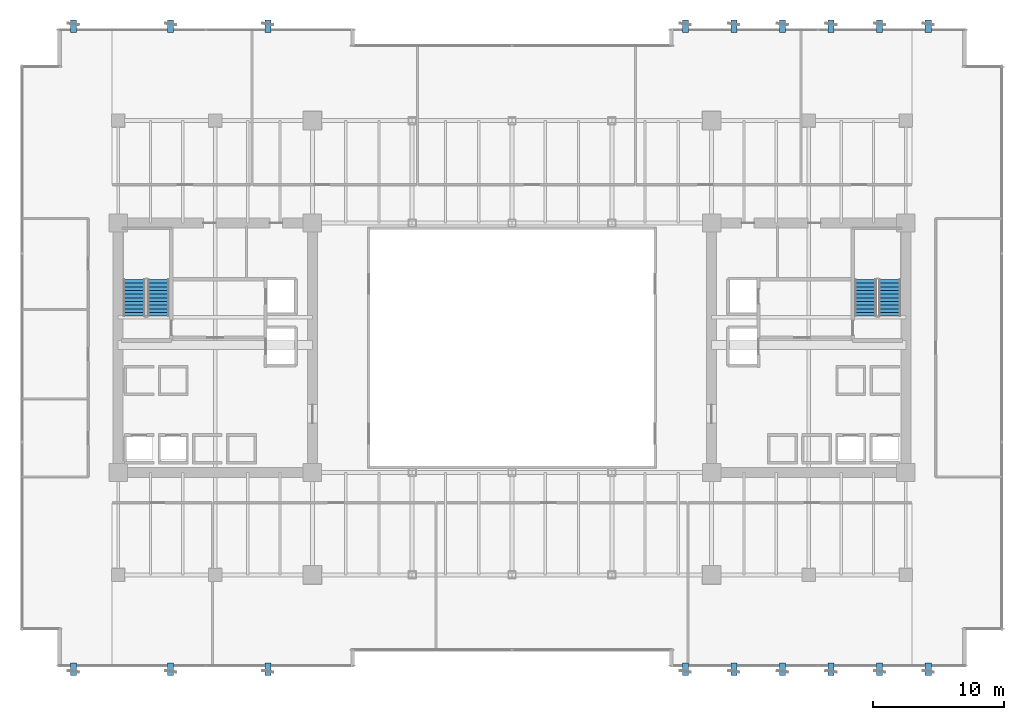
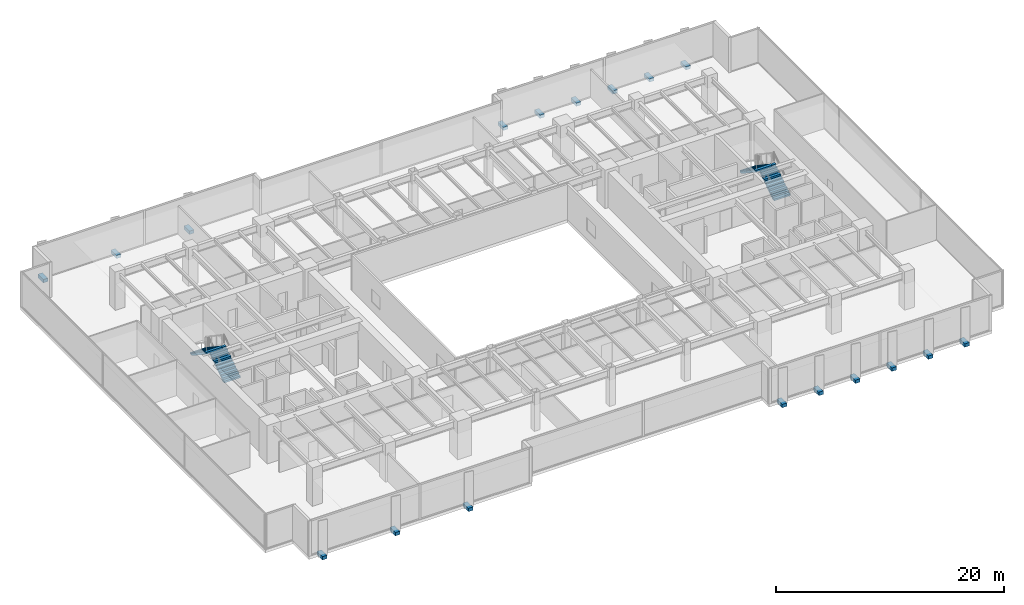
# One storey, part 33 of 37: 18 discrete accessories, 4 stair flights, 2 elements without a shape of their own.
"""IFC4 building model written with IfcOpenShell, lengths in metres."""

import ifcopenshell
import ifcopenshell.guid

model = None  # the IFC model being written
_history = None  # IfcOwnerHistory: only IFC2X3 demands one
_inside = {}  # id of a spatial element -> (the spatial element, [elements in it])
_under = {}  # id of a project, library or spatial element -> (it, [spatial elements below it])
_declared = {}  # id of a project -> (the project, [libraries it declares])
_typed = {}  # id of a type object -> (the type object, [elements of that type])
_made_of = {}  # id of a material, layer set ... -> (it, [elements and type objects made of it])


def new_model(schema):
    """Start an empty IFC model of exactly this schema.

    Asked for "IFC4X3", IfcOpenShell would pick the latest addendum, in which some entities
    have other attributes; the version numbers below select the first issue.
    IFC2X3 requires an IfcOwnerHistory on every rooted entity: one is made here for all.
    """
    global model, _history
    if schema == "IFC4X3":
        model = ifcopenshell.file(schema_version=(4, 3, 0, 0))
    else:
        model = ifcopenshell.file(schema=schema)
    _inside.clear()
    _under.clear()
    _declared.clear()
    _typed.clear()
    _made_of.clear()
    _history = None
    if model.schema == "IFC2X3":
        org = make("IfcOrganization", Name="unknown")
        user = make(
            "IfcPersonAndOrganization",
            ThePerson=make("IfcPerson", FamilyName="unknown"),
            TheOrganization=org,
        )
        app = make(
            "IfcApplication",
            ApplicationDeveloper=org,
            Version="unknown",
            ApplicationFullName="unknown",
            ApplicationIdentifier="unknown",
        )
        _history = make(
            "IfcOwnerHistory",
            OwningUser=user,
            OwningApplication=app,
            ChangeAction="ADDED",
            CreationDate=0,
        )
    return model


def make(cls, **values):
    """One entity of the class cls with the attributes given. An attribute that is None is left unset."""
    return model.create_entity(
        cls, **{name: value for name, value in values.items() if value is not None}
    )


def rooted(cls, **values):
    """An entity with a GlobalId (a new one), such as an element, a storey or a relation."""
    return make(cls, GlobalId=ifcopenshell.guid.new(), OwnerHistory=_history, **values)


def si_unit(unit_type, name, prefix=None):
    """IfcSIUnit, for example si_unit("LENGTHUNIT", "METRE", prefix="MILLI")."""
    return make("IfcSIUnit", UnitType=unit_type, Prefix=prefix, Name=name)


def assignment(units):
    """IfcUnitAssignment: the units of a project."""
    return None if units is None else make("IfcUnitAssignment", Units=units)


def point(xyz):
    """IfcCartesianPoint."""
    return None if xyz is None else make("IfcCartesianPoint", Coordinates=xyz)


def direction(xyz):
    """IfcDirection."""
    return None if xyz is None else make("IfcDirection", DirectionRatios=xyz)


def frame(location, z_axis=None, x_axis=None):
    """IfcAxis2Placement3D, a coordinate frame: its origin and axes. An axis left out is left unset."""
    return make(
        "IfcAxis2Placement3D",
        Location=point(location),
        Axis=direction(z_axis),
        RefDirection=direction(x_axis),
    )


def frame_2d(location, x_axis=None):
    """IfcAxis2Placement2D, a coordinate frame in the plane: its origin and x axis."""
    return make(
        "IfcAxis2Placement2D", Location=point(location), RefDirection=direction(x_axis)
    )


def origin():
    """The frame at (0, 0, 0) with its axes left unset."""
    return frame((0.0, 0.0, 0.0))


def origin_2d():
    """The frame at (0, 0) in the plane with its x axis left unset."""
    return frame_2d((0.0, 0.0))


def place(relative_to, where):
    """IfcLocalPlacement: puts the frame where relative to a parent placement (None: the world)."""
    return make(
        "IfcLocalPlacement", PlacementRelTo=relative_to, RelativePlacement=where
    )


def context(
    kind, dimensions, precision=None, world=None, true_north=None, identifier=None
):
    """IfcGeometricRepresentationContext, for example the 3D "Model" context."""
    return make(
        "IfcGeometricRepresentationContext",
        ContextIdentifier=identifier,
        ContextType=kind,
        CoordinateSpaceDimension=dimensions,
        Precision=precision,
        WorldCoordinateSystem=world,
        TrueNorth=true_north,
    )


def subcontext(parent, identifier, kind, view, scale=None):
    """IfcGeometricRepresentationSubContext, for example "Body" below "Model"."""
    return make(
        "IfcGeometricRepresentationSubContext",
        ContextIdentifier=identifier,
        ContextType=kind,
        ParentContext=parent,
        TargetScale=scale,
        TargetView=view,
    )


def project(units=None, contexts=None):
    """IfcProject with its units and contexts."""
    return rooted(
        "IfcProject",
        Name="project",
        RepresentationContexts=contexts,
        UnitsInContext=assignment(units),
    )


def spatial(cls, under=None, at=None, **own):
    """A site, building, storey or space (cls), placed at a placement, below another one or the project."""
    s = rooted(cls, ObjectPlacement=at, **own)
    if under is not None:
        _under.setdefault(under.id(), (under, []))[1].append(s)
    return s


def polyline(points):
    """IfcPolyline through the points."""
    return make("IfcPolyline", Points=[point(p) for p in points])


def profile(cls, at=None, kind="AREA", **sizes):
    """A parametric profile (cls). Its sizes go by their IFC names, for example OverallWidth=200.0."""
    return make(cls, ProfileType=kind, Position=at, **sizes)


def rectangle(**sizes):
    """IfcRectangleProfileDef."""
    return profile("IfcRectangleProfileDef", **sizes)


def outline(outer, holes=None, kind="AREA"):
    """IfcArbitraryClosedProfileDef: a profile drawn as a closed curve; with holes, ...WithVoids."""
    if holes is None:
        return make("IfcArbitraryClosedProfileDef", ProfileType=kind, OuterCurve=outer)
    return make(
        "IfcArbitraryProfileDefWithVoids",
        ProfileType=kind,
        OuterCurve=outer,
        InnerCurves=holes,
    )


def extrude(swept, where, along, depth):
    """IfcExtrudedAreaSolid: the profile swept, set in the frame where, extruded along a direction by depth."""
    return make(
        "IfcExtrudedAreaSolid",
        SweptArea=swept,
        Position=where,
        ExtrudedDirection=direction(along),
        Depth=depth,
    )


def shape(context_of_items, identifier, shape_type, items):
    """IfcShapeRepresentation: the items that make up one representation, for example the "Body"."""
    return make(
        "IfcShapeRepresentation",
        ContextOfItems=context_of_items,
        RepresentationIdentifier=identifier,
        RepresentationType=shape_type,
        Items=items,
    )


def source(mapping_origin, context_of_items, identifier, shape_type, items):
    """IfcRepresentationMap: a shape defined once, which mapped items show again and again."""
    return make(
        "IfcRepresentationMap",
        MappingOrigin=mapping_origin,
        MappedRepresentation=shape(context_of_items, identifier, shape_type, items),
    )


def transform(
    local_origin,
    x_axis=None,
    y_axis=None,
    z_axis=None,
    scale=None,
    scale2=None,
    scale3=None,
    uniform=True,
):
    """IfcCartesianTransformationOperator3D, or its non-uniform kind. x_axis, y_axis, z_axis: its Axis1, 2, 3."""
    if uniform:
        return make(
            "IfcCartesianTransformationOperator3D",
            Axis1=direction(x_axis),
            Axis2=direction(y_axis),
            LocalOrigin=point(local_origin),
            Scale=scale,
            Axis3=direction(z_axis),
        )
    return make(
        "IfcCartesianTransformationOperator3DnonUniform",
        Axis1=direction(x_axis),
        Axis2=direction(y_axis),
        LocalOrigin=point(local_origin),
        Scale=scale,
        Axis3=direction(z_axis),
        Scale2=scale2,
        Scale3=scale3,
    )


def mapped(mapping_source, mapping_target):
    """IfcMappedItem: shows the shape of a source again, moved by a transform."""
    return make(
        "IfcMappedItem", MappingSource=mapping_source, MappingTarget=mapping_target
    )


def material(Name=None, Category=None):
    """IfcMaterial."""
    return make("IfcMaterial", Name=Name, Category=Category)


def made_of(thing, what):
    """Note that an element or type object is made of a material, layer set ...; save() writes the relation."""
    if what is not None:
        _made_of.setdefault(what.id(), (what, []))[1].append(thing)
    return thing


def type_object(cls, material=None, **own):
    """A type object (cls), such as IfcWallType, which elements share."""
    return made_of(rooted(cls, **own), material)


def type_shapes(of_type, sources):
    """Give a type object the sources (RepresentationMaps) that its elements show as mapped items."""
    of_type.RepresentationMaps = sources


def element(
    cls,
    number,
    at=None,
    inside=None,
    cuts=None,
    type_object=None,
    material=None,
    context=None,
    identifier="Body",
    shape_type=None,
    held_by="IfcProductDefinitionShape",
    body=None,
    shapes=None,
    **own,
):
    """One element of the class cls, such as IfcWall. Its Tag is "e" and its number.

    at: its placement. inside: the storey or other place that contains it. cuts: it is an
    opening in that element (IfcRelVoidsElement). A single representation is given by context,
    identifier, shape_type and body (its items); several are given by shapes. held_by: the class
    of the entity that holds the representations. save() writes the other relations.
    """
    e = rooted(cls, Tag="e%d" % number, ObjectPlacement=at, **own)
    if body is not None:
        shapes = [shape(context, identifier, shape_type, body)]
    if shapes is not None:
        e.Representation = make(held_by, Representations=shapes)
    if inside is not None:
        _inside.setdefault(inside.id(), (inside, []))[1].append(e)
    if cuts is not None:
        rooted(
            "IfcRelVoidsElement", RelatingBuildingElement=cuts, RelatedOpeningElement=e
        )
    if type_object is not None:
        _typed.setdefault(type_object.id(), (type_object, []))[1].append(e)
    return made_of(e, material)


def aggregate(whole, parts):
    """IfcRelAggregates: a whole, such as a stair, and the parts it consists of."""
    return rooted("IfcRelAggregates", RelatingObject=whole, RelatedObjects=parts)


def save(model, path):
    """Write the relations noted so far, then the file.

    IfcRelAggregates (storeys below a building ...), IfcRelContainedInSpatialStructure (elements
    in a storey), IfcRelDefinesByType, IfcRelAssociatesMaterial and IfcRelDeclares: one each for
    every whole, place, type object, material and project.
    """
    for whole, parts in _under.values():
        aggregate(whole, parts)
    for where, things in _inside.values():
        rooted(
            "IfcRelContainedInSpatialStructure",
            RelatedElements=things,
            RelatingStructure=where,
        )
    for kind, things in _typed.values():
        rooted("IfcRelDefinesByType", RelatedObjects=things, RelatingType=kind)
    for what, things in _made_of.values():
        rooted("IfcRelAssociatesMaterial", RelatedObjects=things, RelatingMaterial=what)
    for by, libraries in _declared.values():
        rooted("IfcRelDeclares", RelatingContext=by, RelatedDefinitions=libraries)
    model.write(path)


model = new_model("IFC4")

# Units and contexts
model_context = context("Model", 3, precision=1e-05, world=origin(), true_north=direction((0.0, 1.0)))
body_context = subcontext(model_context, "Body", "Model", "MODEL_VIEW")
ifc_project = project(units=[si_unit("LENGTHUNIT", "METRE"), si_unit("AREAUNIT", "SQUARE_METRE"), si_unit("VOLUMEUNIT", "CUBIC_METRE"), si_unit("PLANEANGLEUNIT", "RADIAN"), si_unit("MASSUNIT", "GRAM", prefix="KILO")], contexts=[model_context])

# Site, building, storey
site_placement = place(None, origin())
site = spatial("IfcSite", under=ifc_project, at=site_placement, CompositionType="ELEMENT")
building_placement = place(site_placement, origin())
building = spatial("IfcBuilding", under=site, at=building_placement, Name="Haelvirn Gate Laboratories", CompositionType="ELEMENT")
storey_placement = place(building_placement, frame((0.0, 0.0, 74.39990234375)))
storey = spatial("IfcBuildingStorey", under=building, at=storey_placement, Name="L18", CompositionType="ELEMENT", Elevation=74.39990234375)

# Stair, stair flights
ifc_material_1 = material(Name="Concrete C40/50", Category="concrete")
stair_type = type_object("IfcStairType", Name="ST-DOG-1650-R22", PredefinedType="HALF_TURN_STAIR", material=ifc_material_1)
stair_1_placement = place(storey_placement, origin())
stair_1 = element("IfcStair", 1, at=stair_1_placement, inside=storey, type_object=stair_type, Name="L18 Escape Stair ST1", PredefinedType="HALF_TURN_STAIR")
stair_flight_type = type_object("IfcStairFlightType", Name="STF-1650-R11", PredefinedType="STRAIGHT", material=ifc_material_1)
shared_shape_1 = source(origin(), body_context, "Body", "SweptSolid", [
    extrude(outline(polyline([(0.0, 0.0), (0.0, 0.186279296875), (0.280029296875, 0.186279296875), (0.280029296875, 0.372802734375), (0.56005859375, 0.372802734375), (0.56005859375, 0.55908203125), (0.840087890625, 0.55908203125), (0.840087890625, 0.745361328125), (1.1201171875, 0.745361328125), (1.1201171875, 0.931884765625), (1.39990234375, 0.931884765625), (1.39990234375, 1.1181640625), (1.679931640625, 1.1181640625), (1.679931640625, 1.304443359375), (1.9599609375, 1.304443359375), (1.9599609375, 1.490966796875), (2.239990234375, 1.490966796875), (2.239990234375, 1.67724609375), (2.52001953125, 1.67724609375), (2.52001953125, 1.863525390625), (2.800048828125, 1.863525390625), (2.800048828125, 2.050048828125), (2.800048828125, 1.671630859375), (0.28857421875, 0.0), (0.0, 0.0)])), frame((0.0, 0.824951171875, 0.0), z_axis=(0.0, -1.0, 0.0), x_axis=(1.0, 0.0, 0.0)), (0.0, 0.0, 1.0), 1.64990234375),
])
type_shapes(stair_flight_type, [shared_shape_1])
stair_flight_1_placement = place(storey_placement, frame((10.47509765625, 26.699951171875, 0.0), z_axis=(0.0, 0.0, 1.0), x_axis=(0.0, 1.0, 0.0)))
stair_flight_1 = element("IfcStairFlight", 2, at=stair_flight_1_placement, type_object=stair_flight_type, Name="ST1 flight 1", NumberOfRisers=11, NumberOfTreads=10, PredefinedType="STRAIGHT", RiserHeight=0.186363636, TreadLength=0.28, context=body_context, shape_type="MappedRepresentation", body=[
    mapped(shared_shape_1, transform((0.0, 0.0, 0.0), scale=1.0)),
])
stair_flight_2_placement = place(storey_placement, frame((8.625, 29.5, 2.050048828125), z_axis=(0.0, 0.0, 1.0), x_axis=(0.0, -1.0, 0.0)))
stair_flight_2 = element("IfcStairFlight", 3, at=stair_flight_2_placement, type_object=stair_flight_type, Name="ST1 flight 2", NumberOfRisers=11, NumberOfTreads=10, PredefinedType="STRAIGHT", RiserHeight=0.186363636, TreadLength=0.28, context=body_context, shape_type="MappedRepresentation", body=[
    mapped(shared_shape_1, transform((0.0, 0.0, 0.0), scale=1.0)),
])
aggregate(stair_1, [stair_flight_1, stair_flight_2])

stair_2_placement = place(storey_placement, origin())
stair_2 = element("IfcStair", 4, at=stair_2_placement, inside=storey, type_object=stair_type, Name="L18 Escape Stair ST2", PredefinedType="HALF_TURN_STAIR")
stair_flight_3_placement = place(storey_placement, frame((66.175048828125, 26.699951171875, 0.0), z_axis=(0.0, 0.0, 1.0), x_axis=(0.0, 1.0, 0.0)))
stair_flight_3 = element("IfcStairFlight", 5, at=stair_flight_3_placement, type_object=stair_flight_type, Name="ST2 flight 1", NumberOfRisers=11, NumberOfTreads=10, PredefinedType="STRAIGHT", RiserHeight=0.186363636, TreadLength=0.28, context=body_context, shape_type="MappedRepresentation", body=[
    mapped(shared_shape_1, transform((0.0, 0.0, 0.0), scale=1.0)),
])
stair_flight_4_placement = place(storey_placement, frame((64.324951171875, 29.5, 2.050048828125), z_axis=(0.0, 0.0, 1.0), x_axis=(0.0, -1.0, 0.0)))
stair_flight_4 = element("IfcStairFlight", 6, at=stair_flight_4_placement, type_object=stair_flight_type, Name="ST2 flight 2", NumberOfRisers=11, NumberOfTreads=10, PredefinedType="STRAIGHT", RiserHeight=0.186363636, TreadLength=0.28, context=body_context, shape_type="MappedRepresentation", body=[
    mapped(shared_shape_1, transform((0.0, 0.0, 0.0), scale=1.0)),
])
aggregate(stair_2, [stair_flight_3, stair_flight_4])

# Discrete accessories
ifc_material_2 = material(Name="Steel SM355 & duplex stainless anchorage", Category="steel")
discrete_accessory_type = type_object("IfcDiscreteAccessoryType", Name="ACC-BRK-FIN", PredefinedType="BRACKET", material=ifc_material_2)
shared_shape_2 = source(origin(), body_context, "Body", "SweptSolid", [
    extrude(rectangle(XDim=0.4599609375, YDim=0.9599609375, at=origin_2d()), origin(), (0.0, 0.0, 1.0), 0.360107421875),
])
type_shapes(discrete_accessory_type, [shared_shape_2])
for number, where, z_axis, x_axis, name in (
    (7, (4.0, -0.179931640625, -0.31982421875), (0.0, 0.0, 1.0), (1.0, 0.0, 0.0), "L18 Stainless Fin Outrigger Bracket S01"),
    (8, (4.0, 48.780029296875, -0.31982421875), (0.0, 0.0, 1.0), (1.0, 0.0, 0.0), "L18 Stainless Fin Outrigger Bracket N01"),
    (9, (11.39990234375, -0.179931640625, -0.31982421875), (0.0, 0.0, 1.0), (1.0, 0.0, 0.0), "L18 Stainless Fin Outrigger Bracket S02"),
    (10, (11.39990234375, 48.780029296875, -0.31982421875), (0.0, 0.0, 1.0), (1.0, 0.0, 0.0), "L18 Stainless Fin Outrigger Bracket N02"),
    (11, (18.800048828125, -0.179931640625, -0.31982421875), (0.0, 0.0, 1.0), (1.0, 0.0, 0.0), "L18 Stainless Fin Outrigger Bracket S03"),
    (12, (18.800048828125, 48.780029296875, -0.31982421875), (0.0, 0.0, 1.0), (1.0, 0.0, 0.0), "L18 Stainless Fin Outrigger Bracket N03"),
    (13, (50.60009765625, -0.179931640625, -0.31982421875), (0.0, 0.0, 1.0), (1.0, 0.0, 0.0), "L18 Stainless Fin Outrigger Bracket S04"),
    (14, (50.60009765625, 48.780029296875, -0.31982421875), (0.0, 0.0, 1.0), (1.0, 0.0, 0.0), "L18 Stainless Fin Outrigger Bracket N04"),
    (15, (54.300048828125, -0.179931640625, -0.31982421875), (0.0, 0.0, 1.0), (1.0, 0.0, 0.0), "L18 Stainless Fin Outrigger Bracket S05"),
    (16, (54.300048828125, 48.780029296875, -0.31982421875), (0.0, 0.0, 1.0), (1.0, 0.0, 0.0), "L18 Stainless Fin Outrigger Bracket N05"),
    (17, (58.0, -0.179931640625, -0.31982421875), (0.0, 0.0, 1.0), (1.0, 0.0, 0.0), "L18 Stainless Fin Outrigger Bracket S06"),
    (18, (58.0, 48.780029296875, -0.31982421875), (0.0, 0.0, 1.0), (1.0, 0.0, 0.0), "L18 Stainless Fin Outrigger Bracket N06"),
    (19, (61.699951171875, -0.179931640625, -0.31982421875), (0.0, 0.0, 1.0), (1.0, 0.0, 0.0), "L18 Stainless Fin Outrigger Bracket S07"),
    (20, (61.699951171875, 48.780029296875, -0.31982421875), (0.0, 0.0, 1.0), (1.0, 0.0, 0.0), "L18 Stainless Fin Outrigger Bracket N07"),
    (21, (65.39990234375, -0.179931640625, -0.31982421875), (0.0, 0.0, 1.0), (1.0, 0.0, 0.0), "L18 Stainless Fin Outrigger Bracket S08"),
    (22, (65.39990234375, 48.780029296875, -0.31982421875), (0.0, 0.0, 1.0), (1.0, 0.0, 0.0), "L18 Stainless Fin Outrigger Bracket N08"),
    (23, (69.10009765625, -0.179931640625, -0.31982421875), (0.0, 0.0, 1.0), (1.0, 0.0, 0.0), "L18 Stainless Fin Outrigger Bracket S09"),
    (24, (69.10009765625, 48.780029296875, -0.31982421875), (0.0, 0.0, 1.0), (1.0, 0.0, 0.0), "L18 Stainless Fin Outrigger Bracket N09"),
):
    element("IfcDiscreteAccessory", number, at=place(storey_placement, frame(where, z_axis=z_axis, x_axis=x_axis)), inside=storey, type_object=discrete_accessory_type, Name=name, PredefinedType="BRACKET", context=body_context, shape_type="MappedRepresentation", body=[
        mapped(shared_shape_2, transform((0.0, 0.0, 0.0), scale=1.0)),
    ])

save(model, "model.ifc")
